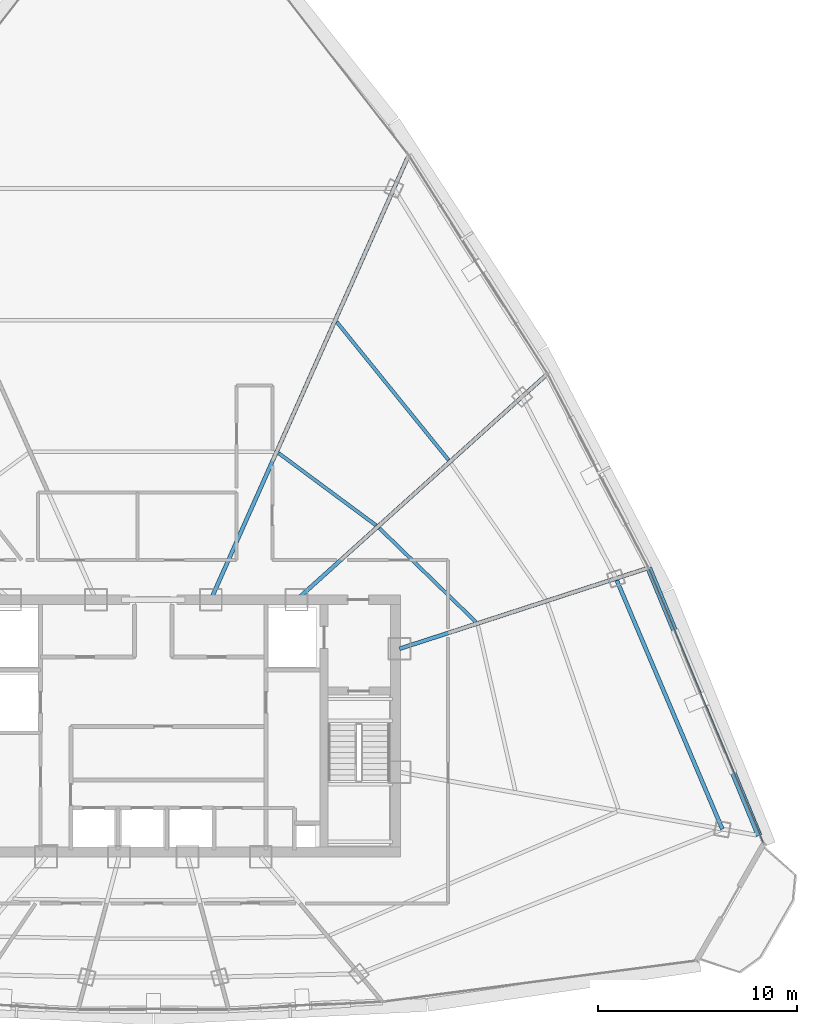
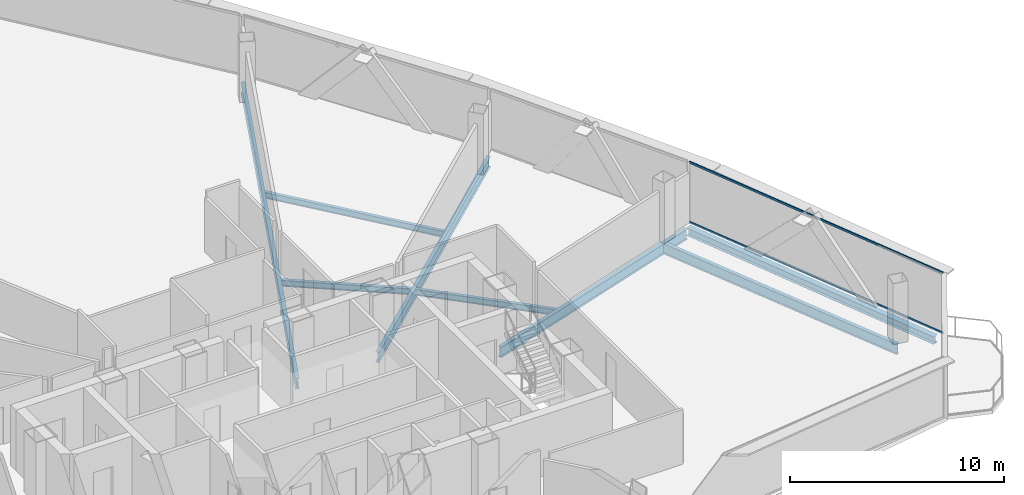
# One storey, part 15 of 33: 8 beams, 2 members, 1 element without a shape of its own.
"""IFC4 building model written with IfcOpenShell, lengths in metres."""

import ifcopenshell
import ifcopenshell.guid

model = None  # the IFC model being written
_history = None  # IfcOwnerHistory: only IFC2X3 demands one
_inside = {}  # id of a spatial element -> (the spatial element, [elements in it])
_under = {}  # id of a project, library or spatial element -> (it, [spatial elements below it])
_declared = {}  # id of a project -> (the project, [libraries it declares])
_typed = {}  # id of a type object -> (the type object, [elements of that type])
_made_of = {}  # id of a material, layer set ... -> (it, [elements and type objects made of it])


def new_model(schema):
    """Start an empty IFC model of exactly this schema.

    Asked for "IFC4X3", IfcOpenShell would pick the latest addendum, in which some entities
    have other attributes; the version numbers below select the first issue.
    IFC2X3 requires an IfcOwnerHistory on every rooted entity: one is made here for all.
    """
    global model, _history
    if schema == "IFC4X3":
        model = ifcopenshell.file(schema_version=(4, 3, 0, 0))
    else:
        model = ifcopenshell.file(schema=schema)
    _inside.clear()
    _under.clear()
    _declared.clear()
    _typed.clear()
    _made_of.clear()
    _history = None
    if model.schema == "IFC2X3":
        org = make("IfcOrganization", Name="unknown")
        user = make(
            "IfcPersonAndOrganization",
            ThePerson=make("IfcPerson", FamilyName="unknown"),
            TheOrganization=org,
        )
        app = make(
            "IfcApplication",
            ApplicationDeveloper=org,
            Version="unknown",
            ApplicationFullName="unknown",
            ApplicationIdentifier="unknown",
        )
        _history = make(
            "IfcOwnerHistory",
            OwningUser=user,
            OwningApplication=app,
            ChangeAction="ADDED",
            CreationDate=0,
        )
    return model


def make(cls, **values):
    """One entity of the class cls with the attributes given. An attribute that is None is left unset."""
    return model.create_entity(
        cls, **{name: value for name, value in values.items() if value is not None}
    )


def rooted(cls, **values):
    """An entity with a GlobalId (a new one), such as an element, a storey or a relation."""
    return make(cls, GlobalId=ifcopenshell.guid.new(), OwnerHistory=_history, **values)


def si_unit(unit_type, name, prefix=None):
    """IfcSIUnit, for example si_unit("LENGTHUNIT", "METRE", prefix="MILLI")."""
    return make("IfcSIUnit", UnitType=unit_type, Prefix=prefix, Name=name)


def assignment(units):
    """IfcUnitAssignment: the units of a project."""
    return None if units is None else make("IfcUnitAssignment", Units=units)


def point(xyz):
    """IfcCartesianPoint."""
    return None if xyz is None else make("IfcCartesianPoint", Coordinates=xyz)


def direction(xyz):
    """IfcDirection."""
    return None if xyz is None else make("IfcDirection", DirectionRatios=xyz)


def frame(location, z_axis=None, x_axis=None):
    """IfcAxis2Placement3D, a coordinate frame: its origin and axes. An axis left out is left unset."""
    return make(
        "IfcAxis2Placement3D",
        Location=point(location),
        Axis=direction(z_axis),
        RefDirection=direction(x_axis),
    )


def frame_2d(location, x_axis=None):
    """IfcAxis2Placement2D, a coordinate frame in the plane: its origin and x axis."""
    return make(
        "IfcAxis2Placement2D", Location=point(location), RefDirection=direction(x_axis)
    )


def origin():
    """The frame at (0, 0, 0) with its axes left unset."""
    return frame((0.0, 0.0, 0.0))


def origin_2d():
    """The frame at (0, 0) in the plane with its x axis left unset."""
    return frame_2d((0.0, 0.0))


def place(relative_to, where):
    """IfcLocalPlacement: puts the frame where relative to a parent placement (None: the world)."""
    return make(
        "IfcLocalPlacement", PlacementRelTo=relative_to, RelativePlacement=where
    )


def context(
    kind, dimensions, precision=None, world=None, true_north=None, identifier=None
):
    """IfcGeometricRepresentationContext, for example the 3D "Model" context."""
    return make(
        "IfcGeometricRepresentationContext",
        ContextIdentifier=identifier,
        ContextType=kind,
        CoordinateSpaceDimension=dimensions,
        Precision=precision,
        WorldCoordinateSystem=world,
        TrueNorth=true_north,
    )


def subcontext(parent, identifier, kind, view, scale=None):
    """IfcGeometricRepresentationSubContext, for example "Body" below "Model"."""
    return make(
        "IfcGeometricRepresentationSubContext",
        ContextIdentifier=identifier,
        ContextType=kind,
        ParentContext=parent,
        TargetScale=scale,
        TargetView=view,
    )


def project(units=None, contexts=None):
    """IfcProject with its units and contexts."""
    return rooted(
        "IfcProject",
        Name="project",
        RepresentationContexts=contexts,
        UnitsInContext=assignment(units),
    )


def spatial(cls, under=None, at=None, **own):
    """A site, building, storey or space (cls), placed at a placement, below another one or the project."""
    s = rooted(cls, ObjectPlacement=at, **own)
    if under is not None:
        _under.setdefault(under.id(), (under, []))[1].append(s)
    return s


def profile(cls, at=None, kind="AREA", **sizes):
    """A parametric profile (cls). Its sizes go by their IFC names, for example OverallWidth=200.0."""
    return make(cls, ProfileType=kind, Position=at, **sizes)


def hollow_rectangle(**sizes):
    """IfcRectangleHollowProfileDef."""
    return profile("IfcRectangleHollowProfileDef", **sizes)


def i_section(**sizes):
    """IfcIShapeProfileDef."""
    return profile("IfcIShapeProfileDef", **sizes)


def extrude(swept, where, along, depth):
    """IfcExtrudedAreaSolid: the profile swept, set in the frame where, extruded along a direction by depth."""
    return make(
        "IfcExtrudedAreaSolid",
        SweptArea=swept,
        Position=where,
        ExtrudedDirection=direction(along),
        Depth=depth,
    )


def shape(context_of_items, identifier, shape_type, items):
    """IfcShapeRepresentation: the items that make up one representation, for example the "Body"."""
    return make(
        "IfcShapeRepresentation",
        ContextOfItems=context_of_items,
        RepresentationIdentifier=identifier,
        RepresentationType=shape_type,
        Items=items,
    )


def source(mapping_origin, context_of_items, identifier, shape_type, items):
    """IfcRepresentationMap: a shape defined once, which mapped items show again and again."""
    return make(
        "IfcRepresentationMap",
        MappingOrigin=mapping_origin,
        MappedRepresentation=shape(context_of_items, identifier, shape_type, items),
    )


def transform(
    local_origin,
    x_axis=None,
    y_axis=None,
    z_axis=None,
    scale=None,
    scale2=None,
    scale3=None,
    uniform=True,
):
    """IfcCartesianTransformationOperator3D, or its non-uniform kind. x_axis, y_axis, z_axis: its Axis1, 2, 3."""
    if uniform:
        return make(
            "IfcCartesianTransformationOperator3D",
            Axis1=direction(x_axis),
            Axis2=direction(y_axis),
            LocalOrigin=point(local_origin),
            Scale=scale,
            Axis3=direction(z_axis),
        )
    return make(
        "IfcCartesianTransformationOperator3DnonUniform",
        Axis1=direction(x_axis),
        Axis2=direction(y_axis),
        LocalOrigin=point(local_origin),
        Scale=scale,
        Axis3=direction(z_axis),
        Scale2=scale2,
        Scale3=scale3,
    )


def mapped(mapping_source, mapping_target):
    """IfcMappedItem: shows the shape of a source again, moved by a transform."""
    return make(
        "IfcMappedItem", MappingSource=mapping_source, MappingTarget=mapping_target
    )


def material(Name=None, Category=None):
    """IfcMaterial."""
    return make("IfcMaterial", Name=Name, Category=Category)


def layer(
    of_material, thickness, ventilated=None, Name=None, Category=None, Priority=None
):
    """IfcMaterialLayer: one layer of a wall or slab, of a material (None: an air gap)."""
    return make(
        "IfcMaterialLayer",
        Material=of_material,
        LayerThickness=thickness,
        IsVentilated=ventilated,
        Name=Name,
        Category=Category,
        Priority=Priority,
    )


def layer_set(layers, Name=None):
    """IfcMaterialLayerSet."""
    return make("IfcMaterialLayerSet", MaterialLayers=layers, LayerSetName=Name)


def material_profile(
    of_material, cross_section, Name=None, Category=None, Priority=None
):
    """IfcMaterialProfile: a cross section and its material."""
    return make(
        "IfcMaterialProfile",
        Name=Name,
        Material=of_material,
        Profile=cross_section,
        Priority=Priority,
        Category=Category,
    )


def profile_set(profiles, Name=None, composite=None):
    """IfcMaterialProfileSet."""
    return make(
        "IfcMaterialProfileSet",
        Name=Name,
        MaterialProfiles=profiles,
        CompositeProfile=composite,
    )


def made_of(thing, what):
    """Note that an element or type object is made of a material, layer set ...; save() writes the relation."""
    if what is not None:
        _made_of.setdefault(what.id(), (what, []))[1].append(thing)
    return thing


def type_object(cls, material=None, **own):
    """A type object (cls), such as IfcWallType, which elements share."""
    return made_of(rooted(cls, **own), material)


def element(
    cls,
    number,
    at=None,
    inside=None,
    cuts=None,
    type_object=None,
    material=None,
    context=None,
    identifier="Body",
    shape_type=None,
    held_by="IfcProductDefinitionShape",
    body=None,
    shapes=None,
    **own,
):
    """One element of the class cls, such as IfcWall. Its Tag is "e" and its number.

    at: its placement. inside: the storey or other place that contains it. cuts: it is an
    opening in that element (IfcRelVoidsElement). A single representation is given by context,
    identifier, shape_type and body (its items); several are given by shapes. held_by: the class
    of the entity that holds the representations. save() writes the other relations.
    """
    e = rooted(cls, Tag="e%d" % number, ObjectPlacement=at, **own)
    if body is not None:
        shapes = [shape(context, identifier, shape_type, body)]
    if shapes is not None:
        e.Representation = make(held_by, Representations=shapes)
    if inside is not None:
        _inside.setdefault(inside.id(), (inside, []))[1].append(e)
    if cuts is not None:
        rooted(
            "IfcRelVoidsElement", RelatingBuildingElement=cuts, RelatedOpeningElement=e
        )
    if type_object is not None:
        _typed.setdefault(type_object.id(), (type_object, []))[1].append(e)
    return made_of(e, material)


def aggregate(whole, parts):
    """IfcRelAggregates: a whole, such as a stair, and the parts it consists of."""
    return rooted("IfcRelAggregates", RelatingObject=whole, RelatedObjects=parts)


def save(model, path):
    """Write the relations noted so far, then the file.

    IfcRelAggregates (storeys below a building ...), IfcRelContainedInSpatialStructure (elements
    in a storey), IfcRelDefinesByType, IfcRelAssociatesMaterial and IfcRelDeclares: one each for
    every whole, place, type object, material and project.
    """
    for whole, parts in _under.values():
        aggregate(whole, parts)
    for where, things in _inside.values():
        rooted(
            "IfcRelContainedInSpatialStructure",
            RelatedElements=things,
            RelatingStructure=where,
        )
    for kind, things in _typed.values():
        rooted("IfcRelDefinesByType", RelatedObjects=things, RelatingType=kind)
    for what, things in _made_of.values():
        rooted("IfcRelAssociatesMaterial", RelatedObjects=things, RelatingMaterial=what)
    for by, libraries in _declared.values():
        rooted("IfcRelDeclares", RelatingContext=by, RelatedDefinitions=libraries)
    model.write(path)


model = new_model("IFC4")

# Units and contexts
model_context = context("Model", 3, precision=1e-05, world=origin(), true_north=direction((0.0, 1.0)))
body_context = subcontext(model_context, "Body", "Model", "MODEL_VIEW")
ifc_project = project(units=[si_unit("LENGTHUNIT", "METRE"), si_unit("AREAUNIT", "SQUARE_METRE"), si_unit("VOLUMEUNIT", "CUBIC_METRE"), si_unit("PLANEANGLEUNIT", "RADIAN"), si_unit("MASSUNIT", "GRAM", prefix="KILO"), si_unit("THERMODYNAMICTEMPERATUREUNIT", "KELVIN"), si_unit("POWERUNIT", "WATT")], contexts=[model_context])

# Site, building, storey
site_placement = place(None, origin())
site = spatial("IfcSite", under=ifc_project, at=site_placement, CompositionType="ELEMENT")
building_placement = place(site_placement, origin())
building = spatial("IfcBuilding", under=site, at=building_placement, Name="Yunzhuo Pagoda Commons", CompositionType="ELEMENT")
storey_placement = place(building_placement, frame((0.0, 0.0, 307.39990234375)))
storey = spatial("IfcBuildingStorey", under=building, at=storey_placement, Name="L77", CompositionType="ELEMENT", Elevation=307.39990234375)

# Beams
ifc_material_1 = material(Name="Structural steel Q355B", Category="steel")
ifc_material_profile_1 = material_profile(ifc_material_1, i_section(OverallWidth=0.199951171875, OverallDepth=0.60009765625, WebThickness=0.010986328125, FlangeThickness=0.01708984375, at=origin_2d()), Name="Structural steel Q355B")
ifc_profile_set_1 = profile_set([ifc_material_profile_1], Name="Structural steel Q355B")
beam_type_1 = type_object("IfcBeamType", Name="B-RG3 Beam HN 600x200x11x17", PredefinedType="BEAM", material=ifc_profile_set_1)
shared_shape_1 = source(origin(), body_context, "Body", "SweptSolid", [
    extrude(i_section(OverallWidth=0.199951171875, OverallDepth=0.60009765625, WebThickness=0.010986328125, FlangeThickness=0.01708984375, at=origin_2d()), origin(), (0.0, 0.0, 1.0), 13.715576171875),
])
beam_1_placement = place(storey_placement, frame((76.66162109375, 28.646240234375, -0.559814453125), z_axis=(-0.390733146992, 0.920503996646, 0.0), x_axis=(-0.920503996646, -0.390733146992, 0.0)))
element("IfcBeam", 1, at=beam_1_placement, inside=storey, type_object=beam_type_1, Name="L77 column-ring beam 5", PredefinedType="BEAM", context=body_context, shape_type="MappedRepresentation", body=[
    mapped(shared_shape_1, transform((0.0, 0.0, 0.0), scale=1.0)),
])
ifc_material_profile_2 = material_profile(ifc_material_1, i_section(OverallWidth=0.175048828125, OverallDepth=0.35009765625, WebThickness=0.007080078125, FlangeThickness=0.010986328125, at=origin_2d()), Name="Structural steel Q355B")
ifc_profile_set_2 = profile_set([ifc_material_profile_2], Name="Structural steel Q355B")
beam_type_2 = type_object("IfcBeamType", Name="B-JS2 Joist HN 350x175x7x11", PredefinedType="JOIST", material=ifc_profile_set_2)
shared_shape_2 = source(origin(), body_context, "Body", "SweptSolid", [
    extrude(i_section(OverallWidth=0.175048828125, OverallDepth=0.35009765625, WebThickness=0.007080078125, FlangeThickness=0.010986328125, at=origin_2d()), origin(), (0.0, 0.0, 1.0), 6.767333984375),
])
beam_2_placement = place(storey_placement, frame((64.242431640625, 39.08447265625, -0.434814453125), z_axis=(-0.717207253673, 0.696859925149, 0.0), x_axis=(-0.696859925149, -0.717207253673, 0.0)))
element("IfcBeam", 2, at=beam_2_placement, inside=storey, type_object=beam_type_2, Name="L77 composite ring joist 1.6", PredefinedType="JOIST", context=body_context, shape_type="MappedRepresentation", body=[
    mapped(shared_shape_2, transform((0.0, 0.0, 0.0), scale=1.0)),
])
shared_shape_3 = source(origin(), body_context, "Body", "SweptSolid", [
    extrude(i_section(OverallWidth=0.175048828125, OverallDepth=0.35009765625, WebThickness=0.007080078125, FlangeThickness=0.010986328125, at=origin_2d()), origin(), (0.0, 0.0, 1.0), 6.109619140625),
])
beam_3_placement = place(storey_placement, frame((59.214111328125, 43.948974609375, -0.434814453125), z_axis=(-0.803396474468, 0.595444459888, 0.0), x_axis=(-0.595444459888, -0.803396474468, 0.0)))
element("IfcBeam", 3, at=beam_3_placement, inside=storey, type_object=beam_type_2, Name="L77 composite ring joist 1.7", PredefinedType="JOIST", context=body_context, shape_type="MappedRepresentation", body=[
    mapped(shared_shape_3, transform((0.0, 0.0, 0.0), scale=1.0)),
])
shared_shape_4 = source(origin(), body_context, "Body", "SweptSolid", [
    extrude(i_section(OverallWidth=0.175048828125, OverallDepth=0.35009765625, WebThickness=0.007080078125, FlangeThickness=0.010986328125, at=origin_2d()), origin(), (0.0, 0.0, 1.0), 8.9462890625),
])
beam_4_placement = place(storey_placement, frame((62.867431640625, 47.2412109375, -0.434814453125), z_axis=(-0.629455685791, 0.777036382434, 0.0), x_axis=(-0.777036382434, -0.629455685791, 0.0)))
element("IfcBeam", 4, at=beam_4_placement, inside=storey, type_object=beam_type_2, Name="L77 composite ring joist 2.7", PredefinedType="JOIST", context=body_context, shape_type="MappedRepresentation", body=[
    mapped(shared_shape_4, transform((0.0, 0.0, 0.0), scale=1.0)),
])
shared_shape_5 = source(origin(), body_context, "Body", "SweptSolid", [
    extrude(i_section(OverallWidth=0.199951171875, OverallDepth=0.60009765625, WebThickness=0.010986328125, FlangeThickness=0.01708984375, at=origin_2d()), origin(), (0.0, 0.0, 1.0), 13.040771484375),
])
beam_5_placement = place(storey_placement, frame((72.802490234375, 41.7587890625, -0.559814453125), z_axis=(-0.951057866972, -0.30901283739, 0.0), x_axis=(0.30901283739, -0.951057866972, 0.0)))
element("IfcBeam", 5, at=beam_5_placement, inside=storey, type_object=beam_type_1, Name="L77 radial floor girder F2C2", PredefinedType="BEAM", context=body_context, shape_type="MappedRepresentation", body=[
    mapped(shared_shape_5, transform((0.0, 0.0, 0.0), scale=1.0)),
])
shared_shape_6 = source(origin(), body_context, "Body", "SweptSolid", [
    extrude(i_section(OverallWidth=0.199951171875, OverallDepth=0.60009765625, WebThickness=0.010986328125, FlangeThickness=0.01708984375, at=origin_2d()), origin(), (0.0, 0.0, 1.0), 16.859619140625),
])
beam_6_placement = place(storey_placement, frame((67.748046875, 51.481201171875, -0.559814453125), z_axis=(-0.743143638424, -0.669131924712, 0.0), x_axis=(0.669131924712, -0.743143638424, 0.0)))
element("IfcBeam", 6, at=beam_6_placement, inside=storey, type_object=beam_type_1, Name="L77 radial floor girder F2C3", PredefinedType="BEAM", context=body_context, shape_type="MappedRepresentation", body=[
    mapped(shared_shape_6, transform((0.0, 0.0, 0.0), scale=1.0)),
])
shared_shape_7 = source(origin(), body_context, "Body", "SweptSolid", [
    extrude(i_section(OverallWidth=0.199951171875, OverallDepth=0.60009765625, WebThickness=0.010986328125, FlangeThickness=0.01708984375, at=origin_2d()), origin(), (0.0, 0.0, 1.0), 24.3583984375),
])
beam_7_placement = place(storey_placement, frame((60.801513671875, 62.452392578125, -0.559814453125), z_axis=(-0.406738200999, -0.913544764009, 0.0), x_axis=(0.913544764009, -0.406738200999, 0.0)))
element("IfcBeam", 7, at=beam_7_placement, inside=storey, type_object=beam_type_1, Name="L77 radial floor girder F2C4", PredefinedType="BEAM", context=body_context, shape_type="MappedRepresentation", body=[
    mapped(shared_shape_7, transform((0.0, 0.0, 0.0), scale=1.0)),
])
ifc_material_profile_3 = material_profile(ifc_material_1, i_section(OverallWidth=0.300048828125, OverallDepth=0.43994140625, WebThickness=0.010986328125, FlangeThickness=0.01806640625, at=origin_2d()), Name="Structural steel Q355B")
ifc_profile_set_3 = profile_set([ifc_material_profile_3], Name="Structural steel Q355B")
beam_type_3 = type_object("IfcBeamType", Name="B-SP2 Beam HM 440x300x11x18", PredefinedType="BEAM", material=ifc_profile_set_3)
shared_shape_8 = source(origin(), body_context, "Body", "SweptSolid", [
    extrude(i_section(OverallWidth=0.300048828125, OverallDepth=0.43994140625, WebThickness=0.010986328125, FlangeThickness=0.01806640625, at=origin_2d()), origin(), (0.0, 0.0, 1.0), 14.589599609375),
])
beam_8_placement = place(storey_placement, frame((78.513916015625, 28.319580078125, -0.47998046875), z_axis=(-0.381363277561, 0.92442525416, 0.0), x_axis=(-0.92442525416, -0.381363277561, 0.0)))
element("IfcBeam", 8, at=beam_8_placement, inside=storey, type_object=beam_type_3, Name="L77 facade edge spandrel beam F2.1", PredefinedType="BEAM", context=body_context, shape_type="MappedRepresentation", body=[
    mapped(shared_shape_8, transform((0.0, 0.0, 0.0), scale=1.0)),
])

# Curtain wall, members
ifc_material_2 = material(Name="Anodized aluminium 6063-T6", Category="aluminium")
ifc_layer = layer(ifc_material_2, 0.139892578125)
ifc_layer_set = layer_set([ifc_layer], Name="Anodized aluminium 6063-T6")
curtain_wall_type = type_object("IfcCurtainWallType", Name="CW-HI High-Zone Ribbon Curtain Wall", PredefinedType="NOTDEFINED", material=ifc_layer_set)
curtain_wall_placement = place(storey_placement, origin())
curtain_wall = element("IfcCurtainWall", 9, at=curtain_wall_placement, inside=storey, type_object=curtain_wall_type, Name="L77 curtain wall CW-L77-F2B2", PredefinedType="NOTDEFINED")
ifc_material_profile_4 = material_profile(ifc_material_2, hollow_rectangle(XDim=0.054931640625, YDim=0.1201171875, WallThickness=0.00341796875, at=origin_2d()), Name="Anodized aluminium 6063-T6")
ifc_profile_set_4 = profile_set([ifc_material_profile_4], Name="Anodized aluminium 6063-T6")
member_type = type_object("IfcMemberType", Name="CW-HI-T Transom RHS 120x55x3.5", PredefinedType="USERDEFINED", material=ifc_profile_set_4)
shared_shape_9 = source(origin(), body_context, "Body", "SweptSolid", [
    extrude(hollow_rectangle(XDim=0.054931640625, YDim=0.1201171875, WallThickness=0.00341796875, at=origin_2d()), origin(), (0.0, 0.0, 1.0), 14.939208984375),
])
member_1_placement = place(storey_placement, frame((78.72607421875, 27.964111328125, 0.027587890625), z_axis=(-0.38507485684, 0.922885342082, 0.0), x_axis=(-0.922885342082, -0.38507485684, 0.0)))
member_1 = element("IfcMember", 10, at=member_1_placement, type_object=member_type, Name="CW transom 1.1", ObjectType="TRANSOM", PredefinedType="USERDEFINED", context=body_context, shape_type="MappedRepresentation", body=[
    mapped(shared_shape_9, transform((0.0, 0.0, 0.0), scale=1.0)),
])
member_2_placement = place(storey_placement, frame((78.72607421875, 27.964111328125, 3.442626953125), z_axis=(-0.38507485684, 0.922885342082, 0.0), x_axis=(-0.922885342082, -0.38507485684, 0.0)))
member_2 = element("IfcMember", 11, at=member_2_placement, type_object=member_type, Name="CW transom 1.2", ObjectType="TRANSOM", PredefinedType="USERDEFINED", context=body_context, shape_type="MappedRepresentation", body=[
    mapped(shared_shape_9, transform((0.0, 0.0, 0.0), scale=1.0)),
])
aggregate(curtain_wall, [member_1, member_2])

save(model, "model.ifc")
